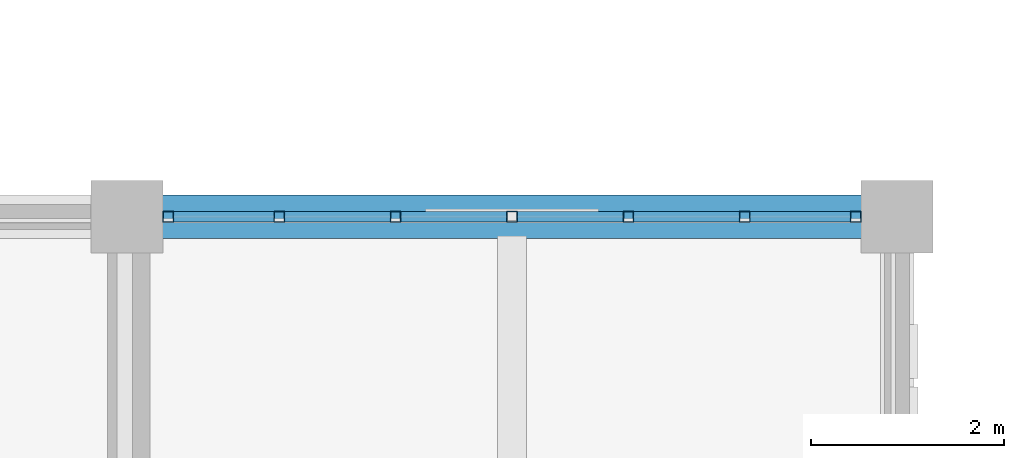
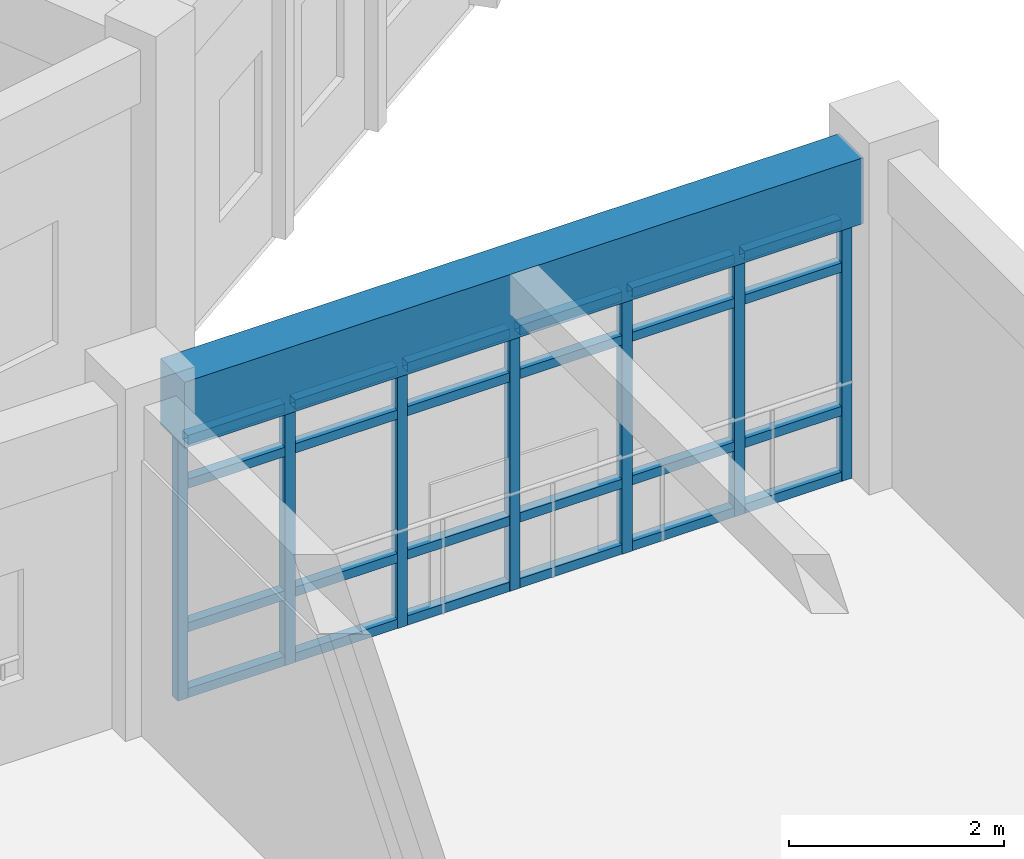
# One storey, part 51 of 159: 31 members, 1 beam, 1 element without a shape of its own.
"""IFC4 building model written with IfcOpenShell, lengths in metres."""

from ifc_helpers import new_model, si_unit, direction, frame, origin, origin_2d, place, context, subcontext, project, spatial, rectangle, hollow_rectangle, extrude, material, material_profile, profile_set, type_object, element, aggregate, save


model = new_model("IFC4")

# Units and contexts
model_context = context("Model", 3, precision=1e-05, world=origin(), true_north=direction((0.0, 1.0)))
body_context = subcontext(model_context, "Body", "Model", "MODEL_VIEW")
ifc_project = project(units=[si_unit("LENGTHUNIT", "METRE"), si_unit("AREAUNIT", "SQUARE_METRE"), si_unit("VOLUMEUNIT", "CUBIC_METRE"), si_unit("PLANEANGLEUNIT", "RADIAN"), si_unit("MASSUNIT", "GRAM", prefix="KILO")], contexts=[model_context])

# Site, building, storey
site_placement = place(None, origin())
site = spatial("IfcSite", under=ifc_project, at=site_placement, CompositionType="ELEMENT")
building_placement = place(site_placement, origin())
building = spatial("IfcBuilding", under=site, at=building_placement, Name="Celadon Cloister-Ring School", CompositionType="ELEMENT")
storey_placement = place(building_placement, frame((0.0, 0.0, 4.5)))
storey = spatial("IfcBuildingStorey", under=building, at=storey_placement, Name="L01", CompositionType="ELEMENT", Elevation=4.5)

# Curtain wall, members
ifc_material_1 = material(Name="Aluminium EN AW-6063 T6", Category="aluminium")
curtain_wall_type = type_object("IfcCurtainWallType", Name="CW-14", PredefinedType="USERDEFINED", material=ifc_material_1)
curtain_wall_placement = place(storey_placement, origin())
curtain_wall = element("IfcCurtainWall", 1, at=curtain_wall_placement, inside=storey, type_object=curtain_wall_type, Name="Curtain Wall 0196", ObjectType="CURTAIN WALL", PredefinedType="USERDEFINED")
ifc_material_2 = material(Name="Aluminium EN AW-6063 T6", Category="aluminium")
ifc_material_profile_1 = material_profile(ifc_material_2, hollow_rectangle(XDim=0.110107421875, YDim=0.110107421875, WallThickness=0.0048828125, at=origin_2d()), Name="RHS110X110X5")
ifc_profile_set_1 = profile_set([ifc_material_profile_1], Name="Aluminium EN AW-6063 T6")
member_type_1 = type_object("IfcMemberType", Name="CM-01", PredefinedType="MULLION", material=ifc_profile_set_1)
member_1_placement = place(storey_placement, frame((24.429931640625, 76.0, 0.0), z_axis=(0.0, 0.0, 1.0), x_axis=(0.0, 1.0, 0.0)))
member_1 = element("IfcMember", 2, at=member_1_placement, type_object=member_type_1, Name="CW-14 mullion 1", PredefinedType="MULLION", context=body_context, shape_type="SweptSolid", body=[
    extrude(hollow_rectangle(XDim=0.110107421875, YDim=0.110107421875, WallThickness=0.0048828125, at=origin_2d()), origin(), (0.0, 0.0, 1.0), 2.98193359375),
])
member_2_placement = place(storey_placement, frame((25.583251953125, 76.0, 0.0), z_axis=(0.0, 0.0, 1.0), x_axis=(0.0, 1.0, 0.0)))
member_2 = element("IfcMember", 3, at=member_2_placement, type_object=member_type_1, Name="CW-14 mullion 2", PredefinedType="MULLION", context=body_context, shape_type="SweptSolid", body=[
    extrude(hollow_rectangle(XDim=0.110107421875, YDim=0.110107421875, WallThickness=0.0048828125, at=origin_2d()), origin(), (0.0, 0.0, 1.0), 2.98193359375),
])
member_3_placement = place(storey_placement, frame((26.791748046875, 76.0, 0.0), z_axis=(0.0, 0.0, 1.0), x_axis=(0.0, 1.0, 0.0)))
member_3 = element("IfcMember", 4, at=member_3_placement, type_object=member_type_1, Name="CW-14 mullion 3", PredefinedType="MULLION", context=body_context, shape_type="SweptSolid", body=[
    extrude(hollow_rectangle(XDim=0.110107421875, YDim=0.110107421875, WallThickness=0.0048828125, at=origin_2d()), origin(), (0.0, 0.0, 1.0), 2.98193359375),
])
member_4_placement = place(storey_placement, frame((28.0, 76.0, 0.0), z_axis=(0.0, 0.0, 1.0), x_axis=(0.0, 1.0, 0.0)))
member_4 = element("IfcMember", 5, at=member_4_placement, type_object=member_type_1, Name="CW-14 mullion 4", PredefinedType="MULLION", context=body_context, shape_type="SweptSolid", body=[
    extrude(hollow_rectangle(XDim=0.110107421875, YDim=0.110107421875, WallThickness=0.0048828125, at=origin_2d()), origin(), (0.0, 0.0, 1.0), 2.98193359375),
])
member_5_placement = place(storey_placement, frame((29.208251953125, 76.0, 0.0), z_axis=(0.0, 0.0, 1.0), x_axis=(0.0, 1.0, 0.0)))
member_5 = element("IfcMember", 6, at=member_5_placement, type_object=member_type_1, Name="CW-14 mullion 5", PredefinedType="MULLION", context=body_context, shape_type="SweptSolid", body=[
    extrude(hollow_rectangle(XDim=0.110107421875, YDim=0.110107421875, WallThickness=0.0048828125, at=origin_2d()), origin(), (0.0, 0.0, 1.0), 2.98193359375),
])
member_6_placement = place(storey_placement, frame((30.416748046875, 76.0, 0.0), z_axis=(0.0, 0.0, 1.0), x_axis=(0.0, 1.0, 0.0)))
member_6 = element("IfcMember", 7, at=member_6_placement, type_object=member_type_1, Name="CW-14 mullion 6", PredefinedType="MULLION", context=body_context, shape_type="SweptSolid", body=[
    extrude(hollow_rectangle(XDim=0.110107421875, YDim=0.110107421875, WallThickness=0.0048828125, at=origin_2d()), origin(), (0.0, 0.0, 1.0), 2.98193359375),
])
member_7_placement = place(storey_placement, frame((31.570068359375, 76.0, 0.0), z_axis=(0.0, 0.0, 1.0), x_axis=(0.0, 1.0, 0.0)))
member_7 = element("IfcMember", 8, at=member_7_placement, type_object=member_type_1, Name="CW-14 mullion 7", PredefinedType="MULLION", context=body_context, shape_type="SweptSolid", body=[
    extrude(hollow_rectangle(XDim=0.110107421875, YDim=0.110107421875, WallThickness=0.0048828125, at=origin_2d()), origin(), (0.0, 0.0, 1.0), 2.98193359375),
])
ifc_material_3 = material(Name="Aluminium EN AW-6063 T6", Category="aluminium")
ifc_material_profile_2 = material_profile(ifc_material_3, hollow_rectangle(XDim=0.10498046875, YDim=0.10498046875, WallThickness=0.0048828125, at=origin_2d()), Name="RHS105X105X5")
ifc_profile_set_2 = profile_set([ifc_material_profile_2], Name="Aluminium EN AW-6063 T6")
member_type_2 = type_object("IfcMemberType", Name="CTM-01", PredefinedType="USERDEFINED", material=ifc_profile_set_2)
member_8_placement = place(storey_placement, frame((24.485107421875, 76.0, 0.052490234375), z_axis=(1.0, 0.0, 0.0), x_axis=(0.0, 1.0, 0.0)))
member_8 = element("IfcMember", 9, at=member_8_placement, type_object=member_type_2, Name="CW-14 transom 1.1", ObjectType="TRANSOM", PredefinedType="USERDEFINED", context=body_context, shape_type="SweptSolid", body=[
    extrude(hollow_rectangle(XDim=0.10498046875, YDim=0.10498046875, WallThickness=0.0048828125, at=origin_2d()), origin(), (0.0, 0.0, 1.0), 1.043212890625),
])
member_9_placement = place(storey_placement, frame((24.485107421875, 76.0, 0.800048828125), z_axis=(1.0, 0.0, 0.0), x_axis=(0.0, 1.0, 0.0)))
member_9 = element("IfcMember", 10, at=member_9_placement, type_object=member_type_2, Name="CW-14 transom 1.2", ObjectType="TRANSOM", PredefinedType="USERDEFINED", context=body_context, shape_type="SweptSolid", body=[
    extrude(hollow_rectangle(XDim=0.10498046875, YDim=0.10498046875, WallThickness=0.0048828125, at=origin_2d()), origin(), (0.0, 0.0, 1.0), 1.043212890625),
])
member_10_placement = place(storey_placement, frame((24.485107421875, 76.0, 2.431884765625), z_axis=(1.0, 0.0, 0.0), x_axis=(0.0, 1.0, 0.0)))
member_10 = element("IfcMember", 11, at=member_10_placement, type_object=member_type_2, Name="CW-14 transom 1.3", ObjectType="TRANSOM", PredefinedType="USERDEFINED", context=body_context, shape_type="SweptSolid", body=[
    extrude(hollow_rectangle(XDim=0.10498046875, YDim=0.10498046875, WallThickness=0.0048828125, at=origin_2d()), origin(), (0.0, 0.0, 1.0), 1.043212890625),
])
member_11_placement = place(storey_placement, frame((24.485107421875, 76.0, 2.929443359375), z_axis=(1.0, 0.0, 0.0), x_axis=(0.0, 1.0, 0.0)))
member_11 = element("IfcMember", 12, at=member_11_placement, type_object=member_type_2, Name="CW-14 transom 1.4", ObjectType="TRANSOM", PredefinedType="USERDEFINED", context=body_context, shape_type="SweptSolid", body=[
    extrude(hollow_rectangle(XDim=0.10498046875, YDim=0.10498046875, WallThickness=0.0048828125, at=origin_2d()), origin(), (0.0, 0.0, 1.0), 1.043212890625),
])
member_12_placement = place(storey_placement, frame((25.638427734375, 76.0, 0.052490234375), z_axis=(1.0, 0.0, 0.0), x_axis=(0.0, 1.0, 0.0)))
member_12 = element("IfcMember", 13, at=member_12_placement, type_object=member_type_2, Name="CW-14 transom 2.1", ObjectType="TRANSOM", PredefinedType="USERDEFINED", context=body_context, shape_type="SweptSolid", body=[
    extrude(hollow_rectangle(XDim=0.10498046875, YDim=0.10498046875, WallThickness=0.0048828125, at=origin_2d()), origin(), (0.0, 0.0, 1.0), 1.09814453125),
])
member_13_placement = place(storey_placement, frame((25.638427734375, 76.0, 0.800048828125), z_axis=(1.0, 0.0, 0.0), x_axis=(0.0, 1.0, 0.0)))
member_13 = element("IfcMember", 14, at=member_13_placement, type_object=member_type_2, Name="CW-14 transom 2.2", ObjectType="TRANSOM", PredefinedType="USERDEFINED", context=body_context, shape_type="SweptSolid", body=[
    extrude(hollow_rectangle(XDim=0.10498046875, YDim=0.10498046875, WallThickness=0.0048828125, at=origin_2d()), origin(), (0.0, 0.0, 1.0), 1.09814453125),
])
member_14_placement = place(storey_placement, frame((25.638427734375, 76.0, 2.431884765625), z_axis=(1.0, 0.0, 0.0), x_axis=(0.0, 1.0, 0.0)))
member_14 = element("IfcMember", 15, at=member_14_placement, type_object=member_type_2, Name="CW-14 transom 2.3", ObjectType="TRANSOM", PredefinedType="USERDEFINED", context=body_context, shape_type="SweptSolid", body=[
    extrude(hollow_rectangle(XDim=0.10498046875, YDim=0.10498046875, WallThickness=0.0048828125, at=origin_2d()), origin(), (0.0, 0.0, 1.0), 1.09814453125),
])
member_15_placement = place(storey_placement, frame((25.638427734375, 76.0, 2.929443359375), z_axis=(1.0, 0.0, 0.0), x_axis=(0.0, 1.0, 0.0)))
member_15 = element("IfcMember", 16, at=member_15_placement, type_object=member_type_2, Name="CW-14 transom 2.4", ObjectType="TRANSOM", PredefinedType="USERDEFINED", context=body_context, shape_type="SweptSolid", body=[
    extrude(hollow_rectangle(XDim=0.10498046875, YDim=0.10498046875, WallThickness=0.0048828125, at=origin_2d()), origin(), (0.0, 0.0, 1.0), 1.09814453125),
])
member_16_placement = place(storey_placement, frame((26.8466796875, 76.0, 0.052490234375), z_axis=(1.0, 0.0, 0.0), x_axis=(0.0, 1.0, 0.0)))
member_16 = element("IfcMember", 17, at=member_16_placement, type_object=member_type_2, Name="CW-14 transom 3.1", ObjectType="TRANSOM", PredefinedType="USERDEFINED", context=body_context, shape_type="SweptSolid", body=[
    extrude(hollow_rectangle(XDim=0.10498046875, YDim=0.10498046875, WallThickness=0.0048828125, at=origin_2d()), origin(), (0.0, 0.0, 1.0), 1.098388671875),
])
member_17_placement = place(storey_placement, frame((26.8466796875, 76.0, 0.800048828125), z_axis=(1.0, 0.0, 0.0), x_axis=(0.0, 1.0, 0.0)))
member_17 = element("IfcMember", 18, at=member_17_placement, type_object=member_type_2, Name="CW-14 transom 3.2", ObjectType="TRANSOM", PredefinedType="USERDEFINED", context=body_context, shape_type="SweptSolid", body=[
    extrude(hollow_rectangle(XDim=0.10498046875, YDim=0.10498046875, WallThickness=0.0048828125, at=origin_2d()), origin(), (0.0, 0.0, 1.0), 1.098388671875),
])
member_18_placement = place(storey_placement, frame((26.8466796875, 76.0, 2.431884765625), z_axis=(1.0, 0.0, 0.0), x_axis=(0.0, 1.0, 0.0)))
member_18 = element("IfcMember", 19, at=member_18_placement, type_object=member_type_2, Name="CW-14 transom 3.3", ObjectType="TRANSOM", PredefinedType="USERDEFINED", context=body_context, shape_type="SweptSolid", body=[
    extrude(hollow_rectangle(XDim=0.10498046875, YDim=0.10498046875, WallThickness=0.0048828125, at=origin_2d()), origin(), (0.0, 0.0, 1.0), 1.098388671875),
])
member_19_placement = place(storey_placement, frame((26.8466796875, 76.0, 2.929443359375), z_axis=(1.0, 0.0, 0.0), x_axis=(0.0, 1.0, 0.0)))
member_19 = element("IfcMember", 20, at=member_19_placement, type_object=member_type_2, Name="CW-14 transom 3.4", ObjectType="TRANSOM", PredefinedType="USERDEFINED", context=body_context, shape_type="SweptSolid", body=[
    extrude(hollow_rectangle(XDim=0.10498046875, YDim=0.10498046875, WallThickness=0.0048828125, at=origin_2d()), origin(), (0.0, 0.0, 1.0), 1.098388671875),
])
member_20_placement = place(storey_placement, frame((28.054931640625, 76.0, 0.052490234375), z_axis=(1.0, 0.0, 0.0), x_axis=(0.0, 1.0, 0.0)))
member_20 = element("IfcMember", 21, at=member_20_placement, type_object=member_type_2, Name="CW-14 transom 4.1", ObjectType="TRANSOM", PredefinedType="USERDEFINED", context=body_context, shape_type="SweptSolid", body=[
    extrude(hollow_rectangle(XDim=0.10498046875, YDim=0.10498046875, WallThickness=0.0048828125, at=origin_2d()), origin(), (0.0, 0.0, 1.0), 1.098388671875),
])
member_21_placement = place(storey_placement, frame((28.054931640625, 76.0, 0.800048828125), z_axis=(1.0, 0.0, 0.0), x_axis=(0.0, 1.0, 0.0)))
member_21 = element("IfcMember", 22, at=member_21_placement, type_object=member_type_2, Name="CW-14 transom 4.2", ObjectType="TRANSOM", PredefinedType="USERDEFINED", context=body_context, shape_type="SweptSolid", body=[
    extrude(hollow_rectangle(XDim=0.10498046875, YDim=0.10498046875, WallThickness=0.0048828125, at=origin_2d()), origin(), (0.0, 0.0, 1.0), 1.098388671875),
])
member_22_placement = place(storey_placement, frame((28.054931640625, 76.0, 2.431884765625), z_axis=(1.0, 0.0, 0.0), x_axis=(0.0, 1.0, 0.0)))
member_22 = element("IfcMember", 23, at=member_22_placement, type_object=member_type_2, Name="CW-14 transom 4.3", ObjectType="TRANSOM", PredefinedType="USERDEFINED", context=body_context, shape_type="SweptSolid", body=[
    extrude(hollow_rectangle(XDim=0.10498046875, YDim=0.10498046875, WallThickness=0.0048828125, at=origin_2d()), origin(), (0.0, 0.0, 1.0), 1.098388671875),
])
member_23_placement = place(storey_placement, frame((28.054931640625, 76.0, 2.929443359375), z_axis=(1.0, 0.0, 0.0), x_axis=(0.0, 1.0, 0.0)))
member_23 = element("IfcMember", 24, at=member_23_placement, type_object=member_type_2, Name="CW-14 transom 4.4", ObjectType="TRANSOM", PredefinedType="USERDEFINED", context=body_context, shape_type="SweptSolid", body=[
    extrude(hollow_rectangle(XDim=0.10498046875, YDim=0.10498046875, WallThickness=0.0048828125, at=origin_2d()), origin(), (0.0, 0.0, 1.0), 1.098388671875),
])
member_24_placement = place(storey_placement, frame((29.263427734375, 76.0, 0.052490234375), z_axis=(1.0, 0.0, 0.0), x_axis=(0.0, 1.0, 0.0)))
member_24 = element("IfcMember", 25, at=member_24_placement, type_object=member_type_2, Name="CW-14 transom 5.1", ObjectType="TRANSOM", PredefinedType="USERDEFINED", context=body_context, shape_type="SweptSolid", body=[
    extrude(hollow_rectangle(XDim=0.10498046875, YDim=0.10498046875, WallThickness=0.0048828125, at=origin_2d()), origin(), (0.0, 0.0, 1.0), 1.09814453125),
])
member_25_placement = place(storey_placement, frame((29.263427734375, 76.0, 0.800048828125), z_axis=(1.0, 0.0, 0.0), x_axis=(0.0, 1.0, 0.0)))
member_25 = element("IfcMember", 26, at=member_25_placement, type_object=member_type_2, Name="CW-14 transom 5.2", ObjectType="TRANSOM", PredefinedType="USERDEFINED", context=body_context, shape_type="SweptSolid", body=[
    extrude(hollow_rectangle(XDim=0.10498046875, YDim=0.10498046875, WallThickness=0.0048828125, at=origin_2d()), origin(), (0.0, 0.0, 1.0), 1.09814453125),
])
member_26_placement = place(storey_placement, frame((29.263427734375, 76.0, 2.431884765625), z_axis=(1.0, 0.0, 0.0), x_axis=(0.0, 1.0, 0.0)))
member_26 = element("IfcMember", 27, at=member_26_placement, type_object=member_type_2, Name="CW-14 transom 5.3", ObjectType="TRANSOM", PredefinedType="USERDEFINED", context=body_context, shape_type="SweptSolid", body=[
    extrude(hollow_rectangle(XDim=0.10498046875, YDim=0.10498046875, WallThickness=0.0048828125, at=origin_2d()), origin(), (0.0, 0.0, 1.0), 1.09814453125),
])
member_27_placement = place(storey_placement, frame((29.263427734375, 76.0, 2.929443359375), z_axis=(1.0, 0.0, 0.0), x_axis=(0.0, 1.0, 0.0)))
member_27 = element("IfcMember", 28, at=member_27_placement, type_object=member_type_2, Name="CW-14 transom 5.4", ObjectType="TRANSOM", PredefinedType="USERDEFINED", context=body_context, shape_type="SweptSolid", body=[
    extrude(hollow_rectangle(XDim=0.10498046875, YDim=0.10498046875, WallThickness=0.0048828125, at=origin_2d()), origin(), (0.0, 0.0, 1.0), 1.09814453125),
])
member_28_placement = place(storey_placement, frame((30.4716796875, 76.0, 0.052490234375), z_axis=(1.0, 0.0, 0.0), x_axis=(0.0, 1.0, 0.0)))
member_28 = element("IfcMember", 29, at=member_28_placement, type_object=member_type_2, Name="CW-14 transom 6.1", ObjectType="TRANSOM", PredefinedType="USERDEFINED", context=body_context, shape_type="SweptSolid", body=[
    extrude(hollow_rectangle(XDim=0.10498046875, YDim=0.10498046875, WallThickness=0.0048828125, at=origin_2d()), origin(), (0.0, 0.0, 1.0), 1.043212890625),
])
member_29_placement = place(storey_placement, frame((30.4716796875, 76.0, 0.800048828125), z_axis=(1.0, 0.0, 0.0), x_axis=(0.0, 1.0, 0.0)))
member_29 = element("IfcMember", 30, at=member_29_placement, type_object=member_type_2, Name="CW-14 transom 6.2", ObjectType="TRANSOM", PredefinedType="USERDEFINED", context=body_context, shape_type="SweptSolid", body=[
    extrude(hollow_rectangle(XDim=0.10498046875, YDim=0.10498046875, WallThickness=0.0048828125, at=origin_2d()), origin(), (0.0, 0.0, 1.0), 1.043212890625),
])
member_30_placement = place(storey_placement, frame((30.4716796875, 76.0, 2.431884765625), z_axis=(1.0, 0.0, 0.0), x_axis=(0.0, 1.0, 0.0)))
member_30 = element("IfcMember", 31, at=member_30_placement, type_object=member_type_2, Name="CW-14 transom 6.3", ObjectType="TRANSOM", PredefinedType="USERDEFINED", context=body_context, shape_type="SweptSolid", body=[
    extrude(hollow_rectangle(XDim=0.10498046875, YDim=0.10498046875, WallThickness=0.0048828125, at=origin_2d()), origin(), (0.0, 0.0, 1.0), 1.043212890625),
])
member_31_placement = place(storey_placement, frame((30.4716796875, 76.0, 2.929443359375), z_axis=(1.0, 0.0, 0.0), x_axis=(0.0, 1.0, 0.0)))
member_31 = element("IfcMember", 32, at=member_31_placement, type_object=member_type_2, Name="CW-14 transom 6.4", ObjectType="TRANSOM", PredefinedType="USERDEFINED", context=body_context, shape_type="SweptSolid", body=[
    extrude(hollow_rectangle(XDim=0.10498046875, YDim=0.10498046875, WallThickness=0.0048828125, at=origin_2d()), origin(), (0.0, 0.0, 1.0), 1.043212890625),
])
aggregate(curtain_wall, [member_1, member_2, member_3, member_4, member_5, member_6, member_7, member_8, member_9, member_10, member_11, member_12, member_13, member_14, member_15, member_16, member_17, member_18, member_19, member_20, member_21, member_22, member_23, member_24, member_25, member_26, member_27, member_28, member_29, member_30, member_31])

# Beam
ifc_material_4 = material(Name="Concrete C35/45", Category="concrete")
ifc_material_profile_3 = material_profile(ifc_material_4, rectangle(XDim=0.449951171875, YDim=0.75, at=origin_2d()), Name="RC450X750")
ifc_profile_set_3 = profile_set([ifc_material_profile_3], Name="Concrete C35/45")
beam_type = type_object("IfcBeamType", Name="GT-02", PredefinedType="USERDEFINED", material=ifc_profile_set_3)
beam_placement = place(storey_placement, frame((24.35009765625, 76.0, 3.364990234375), z_axis=(1.0, 0.0, 0.0), x_axis=(0.0, 1.0, 0.0)))
element("IfcBeam", 33, at=beam_placement, inside=storey, type_object=beam_type, Name="Beam 1534", ObjectType="GIRDER", PredefinedType="USERDEFINED", context=body_context, shape_type="SweptSolid", body=[
    extrude(rectangle(XDim=0.449951171875, YDim=0.75, at=origin_2d()), origin(), (0.0, 0.0, 1.0), 7.2998046875),
])

save(model, "model.ifc")
